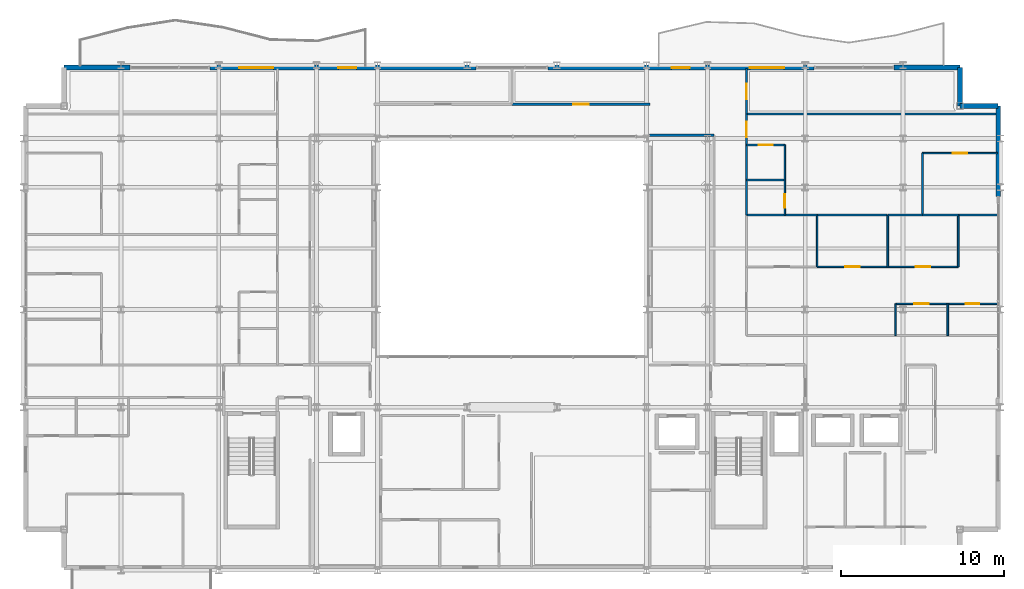
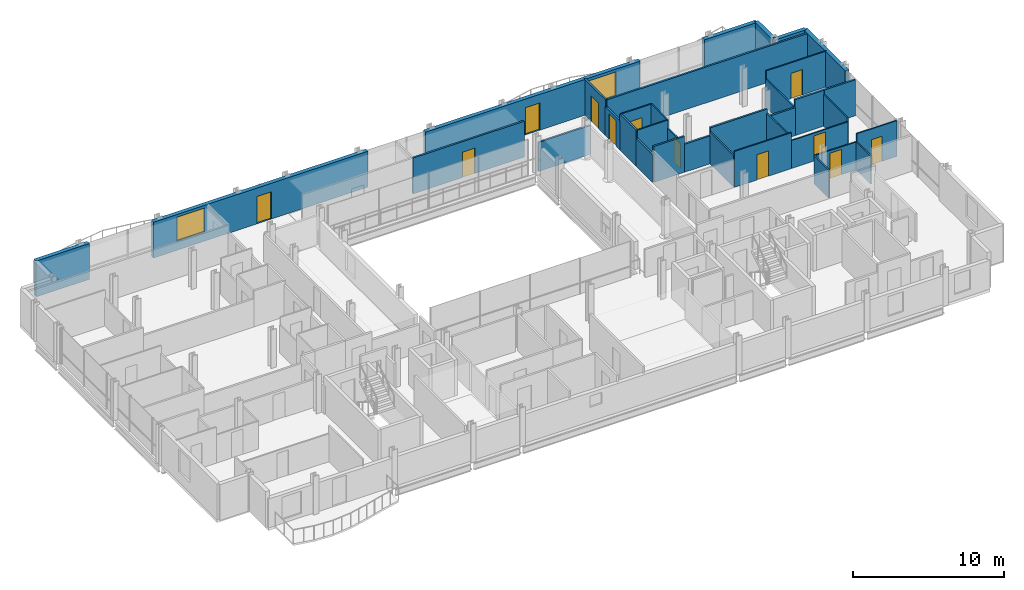
# One storey, part 37 of 41: 35 walls, 12 doors, 2 windows, 14 openings.
"""IFC4 building model written with IfcOpenShell, lengths in metres."""

from ifc_helpers import new_model, si_unit, direction, frame, frame_2d, origin, place, context, subcontext, project, spatial, rectangle, extrude, material, layer, layer_set, type_object, element, fill, save


model = new_model("IFC4")

# Units and contexts
model_context = context("Model", 3, precision=1e-05, world=origin(), true_north=direction((0.0, 1.0)))
body_context = subcontext(model_context, "Body", "Model", "MODEL_VIEW")
ifc_project = project(units=[si_unit("LENGTHUNIT", "METRE"), si_unit("AREAUNIT", "SQUARE_METRE"), si_unit("VOLUMEUNIT", "CUBIC_METRE"), si_unit("PLANEANGLEUNIT", "RADIAN"), si_unit("MASSUNIT", "GRAM", prefix="KILO")], contexts=[model_context])

# Site, building, storey
site_placement = place(None, origin())
site = spatial("IfcSite", under=ifc_project, at=site_placement, CompositionType="ELEMENT")
building_placement = place(site_placement, origin())
building = spatial("IfcBuilding", under=site, at=building_placement, Name="Brevholm Reach", CompositionType="ELEMENT")
storey_placement = place(building_placement, frame((0.0, 0.0, 169.699951171875)))
storey = spatial("IfcBuildingStorey", under=building, at=storey_placement, Name="L51", CompositionType="ELEMENT", Elevation=169.699951171875)

# Walls
ifc_material_1 = material(Name="Concrete C40/50", Category="concrete")
ifc_layer_1 = layer(ifc_material_1, 0.300048828125)
ifc_layer_set_1 = layer_set([ifc_layer_1], Name="Concrete C40/50")
wall_type_1 = type_object("IfcWallType", Name="WAL-EXT-300", PredefinedType="STANDARD", material=ifc_layer_set_1)
for number, where, z_axis, x_axis, name in (
    (1, (59.85009765625, 28.5, 0.0), (0.0, 0.0, 1.0), (-1.0, 0.0, 0.0), "L51 Facade Wall WAL-L51-CNE1"),
    (2, (57.5, 28.5, 0.0), (0.0, 0.0, 1.0), (0.0, 1.0, 0.0), "L51 Facade Wall WAL-L51-CNE2"),
):
    element("IfcWall", number, at=place(storey_placement, frame(where, z_axis=z_axis, x_axis=x_axis)), inside=storey, type_object=wall_type_1, Name=name, PredefinedType="STANDARD", context=body_context, shape_type="SweptSolid", body=[
        extrude(rectangle(XDim=2.35009765625, YDim=0.300048828125, at=frame_2d((1.175048828125, 0.0))), origin(), (0.0, 0.0, 1.0), 2.89013671875),
    ])
wall_1_placement = place(storey_placement, frame((59.85009765625, 22.949951171875, 0.0), z_axis=(0.0, 0.0, 1.0), x_axis=(0.0, 1.0, 0.0)))
element("IfcWall", 3, at=wall_1_placement, inside=storey, type_object=wall_type_1, Name="L51 Facade Wall WAL-L51-E-N", PredefinedType="STANDARD", context=body_context, shape_type="SweptSolid", body=[
    extrude(rectangle(XDim=5.550048828125, YDim=0.300048828125, at=frame_2d((2.77490234375, 0.0))), origin(), (0.0, 0.0, 1.0), 2.89013671875),
])
for number, where, z_axis, x_axis, name in (
    (4, (2.5, 30.85009765625, 0.0), (0.0, 0.0, 1.0), (1.0, 0.0, 0.0), "L51 Facade Wall WAL-L51-NP-W0"),
    (5, (53.449951171875, 30.85009765625, 0.0), (0.0, 0.0, 1.0), (1.0, 0.0, 0.0), "L51 Facade Wall WAL-L51-NP-E0"),
):
    element("IfcWall", number, at=place(storey_placement, frame(where, z_axis=z_axis, x_axis=x_axis)), inside=storey, type_object=wall_type_1, Name=name, PredefinedType="STANDARD", context=body_context, shape_type="SweptSolid", body=[
        extrude(rectangle(XDim=4.050048828125, YDim=0.300048828125, at=frame_2d((2.02490234375, 0.0))), origin(), (0.0, 0.0, 1.0), 2.89013671875),
    ])

# Wall, openings, door, window
wall_2_placement = place(storey_placement, frame((11.449951171875, 30.85009765625, 0.0), z_axis=(0.0, 0.0, 1.0), x_axis=(1.0, 0.0, 0.0)))
wall_2 = element("IfcWall", 6, at=wall_2_placement, inside=storey, type_object=wall_type_1, Name="L51 Facade Wall WAL-L51-NP-WL", PredefinedType="STANDARD", context=body_context, shape_type="SweptSolid", body=[
    extrude(rectangle(XDim=16.35009765625, YDim=0.300048828125, at=frame_2d((8.175048828125, 0.0))), origin(), (0.0, 0.0, 1.0), 2.89013671875),
])
opening_1_placement = place(wall_2_placement, frame((7.89794921875, 0.0, 0.0)))
opening_1 = element("IfcOpeningElement", 7, at=opening_1_placement, cuts=wall_2, Name="Opening BD-01", PredefinedType="OPENING", context=body_context, shape_type="SweptSolid", body=[
    extrude(rectangle(XDim=1.10009765625, YDim=2.199951171875, at=frame_2d((0.550048828125, 1.10009765625))), frame((0.0, 0.159912109375, 0.0), z_axis=(0.0, -1.0, 0.0), x_axis=(1.0, 0.0, 0.0)), (0.0, 0.0, 1.0), 0.320068359375),
])
opening_2_placement = place(wall_2_placement, frame((1.800048828125, 0.0, 0.719970703125)))
opening_2 = element("IfcOpeningElement", 8, at=opening_2_placement, cuts=wall_2, Name="Opening WN-07", PredefinedType="OPENING", context=body_context, shape_type="SweptSolid", body=[
    extrude(rectangle(XDim=2.10009765625, YDim=1.949951171875, at=frame_2d((1.050048828125, 0.97509765625))), frame((0.0, 0.159912109375, 0.0), z_axis=(0.0, -1.0, 0.0), x_axis=(1.0, 0.0, 0.0)), (0.0, 0.0, 1.0), 0.320068359375),
])
ifc_material_2 = material(Name="Dark Anodised Aluminium and Triple-Glazed Glass", Category="aluminium")
door_type_1 = type_object("IfcDoorType", Name="DOR-BALC-1100", OperationType="NOTDEFINED", PredefinedType="DOOR", material=ifc_material_2)
door_1_placement = place(opening_1_placement, origin())
door_1 = element("IfcDoor", 9, at=door_1_placement, inside=storey, type_object=door_type_1, Name="L51 Exterior Door DOR-L51-BL-NW", OperationType="SINGLE_SWING_LEFT", OverallHeight=2.199951171875, OverallWidth=1.10009765625, PredefinedType="DOOR", context=body_context, shape_type="SweptSolid", body=[
    extrude(rectangle(XDim=1.10009765625, YDim=2.199951171875, at=frame_2d((0.550048828125, 1.10009765625))), frame((0.0, 0.02490234375, 0.0), z_axis=(0.0, -1.0, 0.0), x_axis=(1.0, 0.0, 0.0)), (0.0, 0.0, 1.0), 0.050048828125),
])
fill(opening_1, door_1)
ifc_material_3 = material(Name="Dark Anodised Aluminium and Solar-Control IGU Glass", Category="aluminium")
window_type = type_object("IfcWindowType", Name="WIN-RES-2100", PartitioningType="SINGLE_PANEL", PredefinedType="WINDOW", material=ifc_material_3)
window_1_placement = place(opening_2_placement, origin())
window_1 = element("IfcWindow", 10, at=window_1_placement, inside=storey, type_object=window_type, Name="L51 Window WIN-L51-NP-WL1", OverallHeight=1.949951171875, OverallWidth=2.10009765625, PartitioningType="SINGLE_PANEL", PredefinedType="WINDOW", context=body_context, shape_type="SweptSolid", body=[
    extrude(rectangle(XDim=2.10009765625, YDim=1.949951171875, at=frame_2d((1.050048828125, 0.97509765625))), frame((0.0, 0.030029296875, 0.0), z_axis=(0.0, -1.0, 0.0), x_axis=(1.0, 0.0, 0.0)), (0.0, 0.0, 1.0), 0.06005859375),
])
fill(opening_2, window_1)

wall_3_placement = place(storey_placement, frame((32.199951171875, 30.85009765625, 0.0), z_axis=(0.0, 0.0, 1.0), x_axis=(1.0, 0.0, 0.0)))
wall_3 = element("IfcWall", 11, at=wall_3_placement, inside=storey, type_object=wall_type_1, Name="L51 Facade Wall WAL-L51-NP-ER", PredefinedType="STANDARD", context=body_context, shape_type="SweptSolid", body=[
    extrude(rectangle(XDim=16.35009765625, YDim=0.300048828125, at=frame_2d((8.175048828125, 0.0))), origin(), (0.0, 0.0, 1.0), 2.89013671875),
])
opening_3_placement = place(wall_3_placement, frame((7.60009765625, 0.0, 0.0)))
opening_3 = element("IfcOpeningElement", 12, at=opening_3_placement, cuts=wall_3, Name="Opening BD-01", PredefinedType="OPENING", context=body_context, shape_type="SweptSolid", body=[
    extrude(rectangle(XDim=1.10009765625, YDim=2.199951171875, at=frame_2d((0.550048828125, 1.10009765625))), frame((0.0, 0.159912109375, 0.0), z_axis=(0.0, -1.0, 0.0), x_axis=(1.0, 0.0, 0.0)), (0.0, 0.0, 1.0), 0.320068359375),
])
opening_4_placement = place(wall_3_placement, frame((12.39990234375, 0.0, 0.719970703125)))
opening_4 = element("IfcOpeningElement", 13, at=opening_4_placement, cuts=wall_3, Name="Opening WN-07", PredefinedType="OPENING", context=body_context, shape_type="SweptSolid", body=[
    extrude(rectangle(XDim=2.10009765625, YDim=1.949951171875, at=frame_2d((1.050048828125, 0.97509765625))), frame((0.0, 0.159912109375, 0.0), z_axis=(0.0, -1.0, 0.0), x_axis=(1.0, 0.0, 0.0)), (0.0, 0.0, 1.0), 0.320068359375),
])
door_2_placement = place(opening_3_placement, origin())
door_2 = element("IfcDoor", 14, at=door_2_placement, inside=storey, type_object=door_type_1, Name="L51 Exterior Door DOR-L51-BL-NE", OperationType="SINGLE_SWING_RIGHT", OverallHeight=2.199951171875, OverallWidth=1.10009765625, PredefinedType="DOOR", context=body_context, shape_type="SweptSolid", body=[
    extrude(rectangle(XDim=1.10009765625, YDim=2.199951171875, at=frame_2d((0.550048828125, 1.10009765625))), frame((0.0, 0.02490234375, 0.0), z_axis=(0.0, -1.0, 0.0), x_axis=(1.0, 0.0, 0.0)), (0.0, 0.0, 1.0), 0.050048828125),
])
fill(opening_3, door_2)
window_2_placement = place(opening_4_placement, origin())
window_2 = element("IfcWindow", 15, at=window_2_placement, inside=storey, type_object=window_type, Name="L51 Window WIN-L51-NP-ER1", OverallHeight=1.949951171875, OverallWidth=2.10009765625, PartitioningType="SINGLE_PANEL", PredefinedType="WINDOW", context=body_context, shape_type="SweptSolid", body=[
    extrude(rectangle(XDim=2.10009765625, YDim=1.949951171875, at=frame_2d((1.050048828125, 0.97509765625))), frame((0.0, 0.030029296875, 0.0), z_axis=(0.0, -1.0, 0.0), x_axis=(1.0, 0.0, 0.0)), (0.0, 0.0, 1.0), 0.06005859375),
])
fill(opening_4, window_2)

# Wall
ifc_material_4 = material(Name="Moisture-Resistant Acoustic Gypsum Stud Partition 100 mm", Category="gypsum")
ifc_layer_2 = layer(ifc_material_4, 0.10009765625)
ifc_layer_set_2 = layer_set([ifc_layer_2], Name="Moisture-Resistant Acoustic Gypsum Stud Partition 100 mm")
wall_type_2 = type_object("IfcWallType", Name="WAL-PRT-100", PredefinedType="PARTITIONING", material=ifc_layer_set_2)
wall_4_placement = place(storey_placement, frame((56.75, 14.404052734375, 0.0), z_axis=(0.0, 0.0, 1.0), x_axis=(0.0, 1.0, 0.0)))
element("IfcWall", 16, at=wall_4_placement, inside=storey, type_object=wall_type_2, Name="L51 Internal Partition 094", PredefinedType="PARTITIONING", context=body_context, shape_type="SweptSolid", body=[
    extrude(rectangle(XDim=1.946044921875, YDim=0.10009765625, at=frame_2d((0.97314453125, 0.0))), origin(), (0.0, 0.0, 1.0), 2.2529296875),
])

# Wall, opening, door
wall_5_placement = place(storey_placement, frame((56.75, 16.35009765625, 0.0), z_axis=(0.0, 0.0, 1.0), x_axis=(1.0, 0.0, 0.0)))
wall_5 = element("IfcWall", 17, at=wall_5_placement, inside=storey, type_object=wall_type_2, Name="L51 Internal Partition 095", PredefinedType="PARTITIONING", context=body_context, shape_type="SweptSolid", body=[
    extrude(rectangle(XDim=3.050048828125, YDim=0.10009765625, at=frame_2d((1.52490234375, 0.0))), origin(), (0.0, 0.0, 1.0), 2.89013671875),
])
opening_5_placement = place(wall_5_placement, frame((1.114990234375, 0.0, 0.0)))
opening_5 = element("IfcOpeningElement", 18, at=opening_5_placement, cuts=wall_5, Name="Opening ID-03", PredefinedType="OPENING", context=body_context, shape_type="SweptSolid", body=[
    extrude(rectangle(XDim=0.820068359375, YDim=2.02001953125, at=frame_2d((0.41015625, 1.010009765625))), frame((0.0, 0.06005859375, 0.0), z_axis=(0.0, -1.0, 0.0), x_axis=(1.0, 0.0, 0.0)), (0.0, 0.0, 1.0), 0.1201171875),
])
ifc_material_5 = material(Name="Moisture-Resistant Painted Timber Internal Bathroom Door", Category="wood")
door_type_2 = type_object("IfcDoorType", Name="DOR-BATH-820", OperationType="NOTDEFINED", PredefinedType="DOOR", material=ifc_material_5)
door_3_placement = place(opening_5_placement, origin())
door_3 = element("IfcDoor", 19, at=door_3_placement, inside=storey, type_object=door_type_2, Name="L51 Internal Door 041", OperationType="SINGLE_SWING_RIGHT", OverallHeight=2.02001953125, OverallWidth=0.820068359375, PredefinedType="DOOR", context=body_context, shape_type="SweptSolid", body=[
    extrude(rectangle(XDim=0.820068359375, YDim=2.02001953125, at=frame_2d((0.41015625, 1.010009765625))), frame((0.0, 0.02490234375, 0.0), z_axis=(0.0, -1.0, 0.0), x_axis=(1.0, 0.0, 0.0)), (0.0, 0.0, 1.0), 0.050048828125),
])
fill(opening_5, door_3)

wall_6_placement = place(storey_placement, frame((53.550048828125, 16.35009765625, 0.0), z_axis=(0.0, 0.0, 1.0), x_axis=(1.0, 0.0, 0.0)))
wall_6 = element("IfcWall", 20, at=wall_6_placement, inside=storey, type_object=wall_type_2, Name="L51 Internal Partition 096", PredefinedType="PARTITIONING", context=body_context, shape_type="SweptSolid", body=[
    extrude(rectangle(XDim=3.196044921875, YDim=0.10009765625, at=frame_2d((1.59814453125, 0.0))), origin(), (0.0, 0.0, 1.0), 2.2529296875),
])
opening_6_placement = place(wall_6_placement, frame((1.157958984375, 0.0, 0.0)))
opening_6 = element("IfcOpeningElement", 21, at=opening_6_placement, cuts=wall_6, Name="Opening ID-01", PredefinedType="OPENING", context=body_context, shape_type="SweptSolid", body=[
    extrude(rectangle(XDim=0.8798828125, YDim=2.0400390625, at=frame_2d((0.43994140625, 1.02001953125))), frame((0.0, 0.06005859375, 0.0), z_axis=(0.0, -1.0, 0.0), x_axis=(1.0, 0.0, 0.0)), (0.0, 0.0, 1.0), 0.1201171875),
])
ifc_material_6 = material(Name="Lacquered Ash Solid-Core Acoustic Internal Door", Category="timber")
door_type_3 = type_object("IfcDoorType", Name="DOR-INT-880", OperationType="NOTDEFINED", PredefinedType="DOOR", material=ifc_material_6)
door_4_placement = place(opening_6_placement, origin())
door_4 = element("IfcDoor", 22, at=door_4_placement, inside=storey, type_object=door_type_3, Name="L51 Internal Door 042", OperationType="SINGLE_SWING_LEFT", OverallHeight=2.0400390625, OverallWidth=0.8798828125, PredefinedType="DOOR", context=body_context, shape_type="SweptSolid", body=[
    extrude(rectangle(XDim=0.8798828125, YDim=2.0400390625, at=frame_2d((0.43994140625, 1.02001953125))), frame((0.0, 0.02490234375, 0.0), z_axis=(0.0, -1.0, 0.0), x_axis=(1.0, 0.0, 0.0)), (0.0, 0.0, 1.0), 0.050048828125),
])
fill(opening_6, door_4)

# Walls
wall_7_placement = place(storey_placement, frame((53.550048828125, 14.404052734375, 0.0), z_axis=(0.0, 0.0, 1.0), x_axis=(0.0, 1.0, 0.0)))
element("IfcWall", 23, at=wall_7_placement, inside=storey, type_object=wall_type_2, Name="L51 Internal Partition 097", PredefinedType="PARTITIONING", context=body_context, shape_type="SweptSolid", body=[
    extrude(rectangle(XDim=1.946044921875, YDim=0.10009765625, at=frame_2d((0.97314453125, 0.0))), origin(), (0.0, 0.0, 1.0), 2.2529296875),
])
for number, where, z_axis, x_axis, name in (
    (24, (48.73291015625, 18.617919921875, 0.0), (0.0, 0.0, 1.0), (0.0, 1.0, 0.0), "L51 Internal Partition 098"),
    (25, (53.06591796875, 18.617919921875, 0.0), (0.0, 0.0, 1.0), (0.0, 1.0, 0.0), "L51 Internal Partition 102"),
):
    element("IfcWall", number, at=place(storey_placement, frame(where, z_axis=z_axis, x_axis=x_axis)), inside=storey, type_object=wall_type_2, Name=name, PredefinedType="PARTITIONING", context=body_context, shape_type="SweptSolid", body=[
        extrude(rectangle(XDim=3.18212890625, YDim=0.10009765625, at=frame_2d((1.591064453125, 0.0))), origin(), (0.0, 0.0, 1.0), 2.561767578125),
    ])

# Wall, opening, door
wall_8_placement = place(storey_placement, frame((48.737060546875, 18.617919921875, 0.0), z_axis=(0.0, 0.0, 1.0), x_axis=(1.0, 0.0, 0.0)))
wall_8 = element("IfcWall", 26, at=wall_8_placement, inside=storey, type_object=wall_type_2, Name="L51 Internal Partition 103", PredefinedType="PARTITIONING", context=body_context, shape_type="SweptSolid", body=[
    extrude(rectangle(XDim=4.328857421875, YDim=0.10009765625, at=frame_2d((2.16455078125, 0.0))), origin(), (0.0, 0.0, 1.0), 2.89013671875),
])
opening_7_placement = place(wall_8_placement, frame((1.724609375, 0.0, 0.0)))
opening_7 = element("IfcOpeningElement", 27, at=opening_7_placement, cuts=wall_8, Name="Opening ID-01", PredefinedType="OPENING", context=body_context, shape_type="SweptSolid", body=[
    extrude(rectangle(XDim=0.8798828125, YDim=2.0400390625, at=frame_2d((0.43994140625, 1.02001953125))), frame((0.0, 0.06005859375, 0.0), z_axis=(0.0, -1.0, 0.0), x_axis=(1.0, 0.0, 0.0)), (0.0, 0.0, 1.0), 0.1201171875),
])
door_5_placement = place(opening_7_placement, origin())
door_5 = element("IfcDoor", 28, at=door_5_placement, inside=storey, type_object=door_type_3, Name="L51 Internal Door 044", OperationType="SINGLE_SWING_LEFT", OverallHeight=2.0400390625, OverallWidth=0.8798828125, PredefinedType="DOOR", context=body_context, shape_type="SweptSolid", body=[
    extrude(rectangle(XDim=0.8798828125, YDim=2.0400390625, at=frame_2d((0.43994140625, 1.02001953125))), frame((0.0, 0.02490234375, 0.0), z_axis=(0.0, -1.0, 0.0), x_axis=(1.0, 0.0, 0.0)), (0.0, 0.0, 1.0), 0.050048828125),
])
fill(opening_7, door_5)

wall_9_placement = place(storey_placement, frame((53.070068359375, 18.617919921875, 0.0), z_axis=(0.0, 0.0, 1.0), x_axis=(1.0, 0.0, 0.0)))
wall_9 = element("IfcWall", 29, at=wall_9_placement, inside=storey, type_object=wall_type_2, Name="L51 Internal Partition 105", PredefinedType="PARTITIONING", context=body_context, shape_type="SweptSolid", body=[
    extrude(rectangle(XDim=4.328857421875, YDim=0.10009765625, at=frame_2d((2.16455078125, 0.0))), origin(), (0.0, 0.0, 1.0), 2.2529296875),
])
opening_8_placement = place(wall_9_placement, frame((1.724609375, 0.0, 0.0)))
opening_8 = element("IfcOpeningElement", 30, at=opening_8_placement, cuts=wall_9, Name="Opening ID-01", PredefinedType="OPENING", context=body_context, shape_type="SweptSolid", body=[
    extrude(rectangle(XDim=0.8798828125, YDim=2.0400390625, at=frame_2d((0.43994140625, 1.02001953125))), frame((0.0, 0.06005859375, 0.0), z_axis=(0.0, -1.0, 0.0), x_axis=(1.0, 0.0, 0.0)), (0.0, 0.0, 1.0), 0.1201171875),
])
door_6_placement = place(opening_8_placement, origin())
door_6 = element("IfcDoor", 31, at=door_6_placement, inside=storey, type_object=door_type_3, Name="L51 Internal Door 045", OperationType="SINGLE_SWING_RIGHT", OverallHeight=2.0400390625, OverallWidth=0.8798828125, PredefinedType="DOOR", context=body_context, shape_type="SweptSolid", body=[
    extrude(rectangle(XDim=0.8798828125, YDim=2.0400390625, at=frame_2d((0.43994140625, 1.02001953125))), frame((0.0, 0.02490234375, 0.0), z_axis=(0.0, -1.0, 0.0), x_axis=(1.0, 0.0, 0.0)), (0.0, 0.0, 1.0), 0.050048828125),
])
fill(opening_8, door_6)

# Walls
wall_10_placement = place(storey_placement, frame((57.39892578125, 18.617919921875, 0.0), z_axis=(0.0, 0.0, 1.0), x_axis=(0.0, 1.0, 0.0)))
element("IfcWall", 32, at=wall_10_placement, inside=storey, type_object=wall_type_2, Name="L51 Internal Partition 106", PredefinedType="PARTITIONING", context=body_context, shape_type="SweptSolid", body=[
    extrude(rectangle(XDim=3.18212890625, YDim=0.10009765625, at=frame_2d((1.591064453125, 0.0))), origin(), (0.0, 0.0, 1.0), 2.561767578125),
])
wall_11_placement = place(storey_placement, frame((44.404052734375, 23.949951171875, 0.0), z_axis=(0.0, 0.0, 1.0), x_axis=(1.0, 0.0, 0.0)))
element("IfcWall", 33, at=wall_11_placement, inside=storey, type_object=wall_type_2, Name="L51 Internal Partition 110", PredefinedType="PARTITIONING", context=body_context, shape_type="SweptSolid", body=[
    extrude(rectangle(XDim=2.345947265625, YDim=0.10009765625, at=frame_2d((1.1728515625, 0.0))), origin(), (0.0, 0.0, 1.0), 2.89013671875),
])

# Wall, opening, door
wall_12_placement = place(storey_placement, frame((46.75, 21.803955078125, 0.0), z_axis=(0.0, 0.0, 1.0), x_axis=(0.0, 1.0, 0.0)))
wall_12 = element("IfcWall", 34, at=wall_12_placement, inside=storey, type_object=wall_type_2, Name="L51 Internal Partition 111", PredefinedType="PARTITIONING", context=body_context, shape_type="SweptSolid", body=[
    extrude(rectangle(XDim=2.14599609375, YDim=0.10009765625, at=frame_2d((1.072998046875, 0.0))), origin(), (0.0, 0.0, 1.0), 2.2529296875),
])
opening_9_placement = place(wall_12_placement, frame((0.443115234375, 0.0, 0.0)))
opening_9 = element("IfcOpeningElement", 35, at=opening_9_placement, cuts=wall_12, Name="Opening ID-03", PredefinedType="OPENING", context=body_context, shape_type="SweptSolid", body=[
    extrude(rectangle(XDim=0.820068359375, YDim=2.02001953125, at=frame_2d((0.41015625, 1.010009765625))), frame((0.0, 0.06005859375, 0.0), z_axis=(0.0, -1.0, 0.0), x_axis=(1.0, 0.0, 0.0)), (0.0, 0.0, 1.0), 0.1201171875),
])
door_7_placement = place(opening_9_placement, origin())
door_7 = element("IfcDoor", 36, at=door_7_placement, inside=storey, type_object=door_type_2, Name="L51 Internal Door 046", OperationType="SINGLE_SWING_LEFT", OverallHeight=2.02001953125, OverallWidth=0.820068359375, PredefinedType="DOOR", context=body_context, shape_type="SweptSolid", body=[
    extrude(rectangle(XDim=0.820068359375, YDim=2.02001953125, at=frame_2d((0.41015625, 1.010009765625))), frame((0.0, 0.02490234375, 0.0), z_axis=(0.0, -1.0, 0.0), x_axis=(1.0, 0.0, 0.0)), (0.0, 0.0, 1.0), 0.050048828125),
])
fill(opening_9, door_7)

# Wall
wall_13_placement = place(storey_placement, frame((46.75, 23.9541015625, 0.0), z_axis=(0.0, 0.0, 1.0), x_axis=(0.0, 1.0, 0.0)))
element("IfcWall", 37, at=wall_13_placement, inside=storey, type_object=wall_type_2, Name="L51 Internal Partition 112", PredefinedType="PARTITIONING", context=body_context, shape_type="SweptSolid", body=[
    extrude(rectangle(XDim=2.14599609375, YDim=0.10009765625, at=frame_2d((1.072998046875, 0.0))), origin(), (0.0, 0.0, 1.0), 2.89013671875),
])

# Wall, opening, door
wall_14_placement = place(storey_placement, frame((44.404052734375, 26.10009765625, 0.0), z_axis=(0.0, 0.0, 1.0), x_axis=(1.0, 0.0, 0.0)))
wall_14 = element("IfcWall", 38, at=wall_14_placement, inside=storey, type_object=wall_type_2, Name="L51 Internal Partition 113", PredefinedType="PARTITIONING", context=body_context, shape_type="SweptSolid", body=[
    extrude(rectangle(XDim=2.345947265625, YDim=0.10009765625, at=frame_2d((1.1728515625, 0.0))), origin(), (0.0, 0.0, 1.0), 2.89013671875),
])
opening_10_placement = place(wall_14_placement, frame((0.73291015625, 0.0, 0.0)))
opening_10 = element("IfcOpeningElement", 39, at=opening_10_placement, cuts=wall_14, Name="Opening ID-01", PredefinedType="OPENING", context=body_context, shape_type="SweptSolid", body=[
    extrude(rectangle(XDim=0.8798828125, YDim=2.0400390625, at=frame_2d((0.43994140625, 1.02001953125))), frame((0.0, 0.06005859375, 0.0), z_axis=(0.0, -1.0, 0.0), x_axis=(1.0, 0.0, 0.0)), (0.0, 0.0, 1.0), 0.1201171875),
])
door_8_placement = place(opening_10_placement, origin())
door_8 = element("IfcDoor", 40, at=door_8_placement, inside=storey, type_object=door_type_3, Name="L51 Internal Door 047", OperationType="SINGLE_SWING_RIGHT", OverallHeight=2.0400390625, OverallWidth=0.8798828125, PredefinedType="DOOR", context=body_context, shape_type="SweptSolid", body=[
    extrude(rectangle(XDim=0.8798828125, YDim=2.0400390625, at=frame_2d((0.43994140625, 1.02001953125))), frame((0.0, 0.02490234375, 0.0), z_axis=(0.0, -1.0, 0.0), x_axis=(1.0, 0.0, 0.0)), (0.0, 0.0, 1.0), 0.050048828125),
])
fill(opening_10, door_8)

wall_15_placement = place(storey_placement, frame((55.199951171875, 25.60009765625, 0.0), z_axis=(0.0, 0.0, 1.0), x_axis=(1.0, 0.0, 0.0)))
wall_15 = element("IfcWall", 41, at=wall_15_placement, inside=storey, type_object=wall_type_2, Name="L51 Internal Partition 114", PredefinedType="PARTITIONING", context=body_context, shape_type="SweptSolid", body=[
    extrude(rectangle(XDim=4.60009765625, YDim=0.10009765625, at=frame_2d((2.300048828125, 0.0))), origin(), (0.0, 0.0, 1.0), 2.89013671875),
])
opening_11_placement = place(wall_15_placement, frame((1.860107421875, 0.0, 0.0)))
opening_11 = element("IfcOpeningElement", 42, at=opening_11_placement, cuts=wall_15, Name="Opening ID-01", PredefinedType="OPENING", context=body_context, shape_type="SweptSolid", body=[
    extrude(rectangle(XDim=0.8798828125, YDim=2.0400390625, at=frame_2d((0.43994140625, 1.02001953125))), frame((0.0, 0.06005859375, 0.0), z_axis=(0.0, -1.0, 0.0), x_axis=(1.0, 0.0, 0.0)), (0.0, 0.0, 1.0), 0.1201171875),
])
door_9_placement = place(opening_11_placement, origin())
door_9 = element("IfcDoor", 43, at=door_9_placement, inside=storey, type_object=door_type_3, Name="L51 Internal Door 048", OperationType="SINGLE_SWING_LEFT", OverallHeight=2.0400390625, OverallWidth=0.8798828125, PredefinedType="DOOR", context=body_context, shape_type="SweptSolid", body=[
    extrude(rectangle(XDim=0.8798828125, YDim=2.0400390625, at=frame_2d((0.43994140625, 1.02001953125))), frame((0.0, 0.02490234375, 0.0), z_axis=(0.0, -1.0, 0.0), x_axis=(1.0, 0.0, 0.0)), (0.0, 0.0, 1.0), 0.050048828125),
])
fill(opening_11, door_9)

# Walls
wall_16_placement = place(storey_placement, frame((55.199951171875, 21.803955078125, 0.0), z_axis=(0.0, 0.0, 1.0), x_axis=(0.0, 1.0, 0.0)))
element("IfcWall", 44, at=wall_16_placement, inside=storey, type_object=wall_type_2, Name="L51 Internal Partition 115", PredefinedType="PARTITIONING", context=body_context, shape_type="SweptSolid", body=[
    extrude(rectangle(XDim=3.796142578125, YDim=0.10009765625, at=frame_2d((1.89794921875, 0.0))), origin(), (0.0, 0.0, 1.0), 2.2529296875),
])
ifc_material_7 = material(Name="Twin-Stud Acoustic Fire-Rated Gypsum Partition 140 mm", Category="gypsum")
ifc_layer_3 = layer(ifc_material_7, 0.139892578125)
ifc_layer_set_3 = layer_set([ifc_layer_3], Name="Twin-Stud Acoustic Fire-Rated Gypsum Partition 140 mm")
wall_type_3 = type_object("IfcWallType", Name="WAL-PRT-140", PredefinedType="PARTITIONING", material=ifc_layer_set_3)
wall_17_placement = place(storey_placement, frame((44.39990234375, 21.792724609375, 0.0), z_axis=(0.0, 0.0, 1.0), x_axis=(0.0, 1.0, 0.0)))
element("IfcWall", 45, at=wall_17_placement, inside=storey, type_object=wall_type_3, Name="L51 Internal Partition 052", PredefinedType="PARTITIONING", context=body_context, shape_type="SweptSolid", body=[
    extrude(rectangle(XDim=2.16845703125, YDim=0.139892578125, at=frame_2d((1.084228515625, 0.0))), origin(), (0.0, 0.0, 1.0), 2.2529296875),
])
wall_18_placement = place(storey_placement, frame((44.39990234375, 23.942626953125, 0.0), z_axis=(0.0, 0.0, 1.0), x_axis=(0.0, 1.0, 0.0)))
element("IfcWall", 46, at=wall_18_placement, inside=storey, type_object=wall_type_3, Name="L51 Internal Partition 053", PredefinedType="PARTITIONING", context=body_context, shape_type="SweptSolid", body=[
    extrude(rectangle(XDim=2.168701171875, YDim=0.139892578125, at=frame_2d((1.08447265625, 0.0))), origin(), (0.0, 0.0, 1.0), 2.89013671875),
])

# Wall, opening, door
wall_19_placement = place(storey_placement, frame((44.39990234375, 26.0927734375, 0.0), z_axis=(0.0, 0.0, 1.0), x_axis=(0.0, 1.0, 0.0)))
wall_19 = element("IfcWall", 47, at=wall_19_placement, inside=storey, type_object=wall_type_3, Name="L51 Internal Partition 054", PredefinedType="PARTITIONING", context=body_context, shape_type="SweptSolid", body=[
    extrude(rectangle(XDim=1.91845703125, YDim=0.139892578125, at=frame_2d((0.959228515625, 0.0))), origin(), (0.0, 0.0, 1.0), 2.33203125),
])
opening_12_placement = place(wall_19_placement, frame((0.484375, 0.0, 0.0)))
opening_12 = element("IfcOpeningElement", 48, at=opening_12_placement, cuts=wall_19, Name="Opening ID-30", PredefinedType="OPENING", context=body_context, shape_type="SweptSolid", body=[
    extrude(rectangle(XDim=0.949951171875, YDim=2.050048828125, at=frame_2d((0.47509765625, 1.02490234375))), frame((0.0, 0.079833984375, 0.0), z_axis=(0.0, -1.0, 0.0), x_axis=(1.0, 0.0, 0.0)), (0.0, 0.0, 1.0), 0.159912109375),
])
ifc_material_8 = material(Name="European Oak Veneered Solid-Core Fire Entrance Door", Category="timber")
door_type_4 = type_object("IfcDoorType", Name="DOR-FLT-FD30S", OperationType="NOTDEFINED", PredefinedType="DOOR", material=ifc_material_8)
door_10_placement = place(opening_12_placement, origin())
door_10 = element("IfcDoor", 49, at=door_10_placement, inside=storey, type_object=door_type_4, Name="L51 Internal Door 026", OperationType="SINGLE_SWING_LEFT", OverallHeight=2.050048828125, OverallWidth=0.949951171875, PredefinedType="DOOR", context=body_context, shape_type="SweptSolid", body=[
    extrude(rectangle(XDim=0.949951171875, YDim=2.050048828125, at=frame_2d((0.47509765625, 1.02490234375))), frame((0.0, 0.02490234375, 0.0), z_axis=(0.0, -1.0, 0.0), x_axis=(1.0, 0.0, 0.0)), (0.0, 0.0, 1.0), 0.050048828125),
])
fill(opening_12, door_10)

wall_20_placement = place(storey_placement, frame((44.39990234375, 27.99267578125, 0.0), z_axis=(0.0, 0.0, 1.0), x_axis=(0.0, 1.0, 0.0)))
wall_20 = element("IfcWall", 50, at=wall_20_placement, inside=storey, type_object=wall_type_3, Name="L51 Internal Partition 056", PredefinedType="PARTITIONING", context=body_context, shape_type="SweptSolid", body=[
    extrude(rectangle(XDim=2.807373046875, YDim=0.139892578125, at=frame_2d((1.40380859375, 0.0))), origin(), (0.0, 0.0, 1.0), 2.89013671875),
])
opening_13_placement = place(wall_20_placement, frame((0.9287109375, 0.0, 0.0)))
opening_13 = element("IfcOpeningElement", 51, at=opening_13_placement, cuts=wall_20, Name="Opening ID-30", PredefinedType="OPENING", context=body_context, shape_type="SweptSolid", body=[
    extrude(rectangle(XDim=0.949951171875, YDim=2.050048828125, at=frame_2d((0.47509765625, 1.02490234375))), frame((0.0, 0.079833984375, 0.0), z_axis=(0.0, -1.0, 0.0), x_axis=(1.0, 0.0, 0.0)), (0.0, 0.0, 1.0), 0.159912109375),
])
door_11_placement = place(opening_13_placement, origin())
door_11 = element("IfcDoor", 52, at=door_11_placement, inside=storey, type_object=door_type_4, Name="L51 Internal Door 027", OperationType="SINGLE_SWING_RIGHT", OverallHeight=2.050048828125, OverallWidth=0.949951171875, PredefinedType="DOOR", context=body_context, shape_type="SweptSolid", body=[
    extrude(rectangle(XDim=0.949951171875, YDim=2.050048828125, at=frame_2d((0.47509765625, 1.02490234375))), frame((0.0, 0.02490234375, 0.0), z_axis=(0.0, -1.0, 0.0), x_axis=(1.0, 0.0, 0.0)), (0.0, 0.0, 1.0), 0.050048828125),
])
fill(opening_13, door_11)

# Wall
wall_21_placement = place(storey_placement, frame((38.438720703125, 26.699951171875, 0.0), z_axis=(0.0, 0.0, 1.0), x_axis=(1.0, 0.0, 0.0)))
element("IfcWall", 53, at=wall_21_placement, inside=storey, type_object=wall_type_3, Name="L51 Internal Partition 061", PredefinedType="PARTITIONING", context=body_context, shape_type="SweptSolid", body=[
    extrude(rectangle(XDim=3.957275390625, YDim=0.139892578125, at=frame_2d((1.978515625, 0.0))), origin(), (0.0, 0.0, 1.0), 2.33203125),
])

# Wall, opening, door
wall_22_placement = place(storey_placement, frame((29.99267578125, 28.60009765625, 0.0), z_axis=(0.0, 0.0, 1.0), x_axis=(1.0, 0.0, 0.0)))
wall_22 = element("IfcWall", 54, at=wall_22_placement, inside=storey, type_object=wall_type_3, Name="L51 Internal Partition 063", PredefinedType="PARTITIONING", context=body_context, shape_type="SweptSolid", body=[
    extrude(rectangle(XDim=8.464599609375, YDim=0.139892578125, at=frame_2d((4.232421875, 0.0))), origin(), (0.0, 0.0, 1.0), 2.89013671875),
])
opening_14_placement = place(wall_22_placement, frame((3.75732421875, 0.0, 0.0)))
opening_14 = element("IfcOpeningElement", 55, at=opening_14_placement, cuts=wall_22, Name="Opening ID-30", PredefinedType="OPENING", context=body_context, shape_type="SweptSolid", body=[
    extrude(rectangle(XDim=0.949951171875, YDim=2.050048828125, at=frame_2d((0.47509765625, 1.02490234375))), frame((0.0, 0.079833984375, 0.0), z_axis=(0.0, -1.0, 0.0), x_axis=(1.0, 0.0, 0.0)), (0.0, 0.0, 1.0), 0.159912109375),
])
door_12_placement = place(opening_14_placement, origin())
door_12 = element("IfcDoor", 56, at=door_12_placement, inside=storey, type_object=door_type_4, Name="L51 Internal Door 029", OperationType="SINGLE_SWING_RIGHT", OverallHeight=2.050048828125, OverallWidth=0.949951171875, PredefinedType="DOOR", context=body_context, shape_type="SweptSolid", body=[
    extrude(rectangle(XDim=0.949951171875, YDim=2.050048828125, at=frame_2d((0.47509765625, 1.02490234375))), frame((0.0, 0.02490234375, 0.0), z_axis=(0.0, -1.0, 0.0), x_axis=(1.0, 0.0, 0.0)), (0.0, 0.0, 1.0), 0.050048828125),
])
fill(opening_14, door_12)

# Walls
wall_23_placement = place(storey_placement, frame((44.404052734375, 21.800048828125, 0.0), z_axis=(0.0, 0.0, 1.0), x_axis=(1.0, 0.0, 0.0)))
element("IfcWall", 57, at=wall_23_placement, inside=storey, type_object=wall_type_3, Name="L51 Internal Partition 100", PredefinedType="PARTITIONING", context=body_context, shape_type="SweptSolid", body=[
    extrude(rectangle(XDim=2.357177734375, YDim=0.139892578125, at=frame_2d((1.1787109375, 0.0))), origin(), (0.0, 0.0, 1.0), 2.89013671875),
])
wall_24_placement = place(storey_placement, frame((46.74267578125, 21.800048828125, 0.0), z_axis=(0.0, 0.0, 1.0), x_axis=(1.0, 0.0, 0.0)))
element("IfcWall", 58, at=wall_24_placement, inside=storey, type_object=wall_type_3, Name="L51 Internal Partition 101", PredefinedType="PARTITIONING", context=body_context, shape_type="SweptSolid", body=[
    extrude(rectangle(XDim=1.990234375, YDim=0.139892578125, at=frame_2d((0.9951171875, 0.0))), origin(), (0.0, 0.0, 1.0), 2.2529296875),
])
wall_25_placement = place(storey_placement, frame((48.737060546875, 21.800048828125, 0.0), z_axis=(0.0, 0.0, 1.0), x_axis=(1.0, 0.0, 0.0)))
element("IfcWall", 59, at=wall_25_placement, inside=storey, type_object=wall_type_3, Name="L51 Internal Partition 104", PredefinedType="PARTITIONING", context=body_context, shape_type="SweptSolid", body=[
    extrude(rectangle(XDim=4.328857421875, YDim=0.139892578125, at=frame_2d((2.16455078125, 0.0))), origin(), (0.0, 0.0, 1.0), 2.89013671875),
])
wall_26_placement = place(storey_placement, frame((55.188720703125, 21.800048828125, 0.0), z_axis=(0.0, 0.0, 1.0), x_axis=(1.0, 0.0, 0.0)))
element("IfcWall", 60, at=wall_26_placement, inside=storey, type_object=wall_type_3, Name="L51 Internal Partition 107", PredefinedType="PARTITIONING", context=body_context, shape_type="SweptSolid", body=[
    extrude(rectangle(XDim=2.210205078125, YDim=0.139892578125, at=frame_2d((1.10498046875, 0.0))), origin(), (0.0, 0.0, 1.0), 2.89013671875),
])
wall_27_placement = place(storey_placement, frame((53.070068359375, 21.800048828125, 0.0), z_axis=(0.0, 0.0, 1.0), x_axis=(1.0, 0.0, 0.0)))
element("IfcWall", 61, at=wall_27_placement, inside=storey, type_object=wall_type_3, Name="L51 Internal Partition 108", PredefinedType="PARTITIONING", context=body_context, shape_type="SweptSolid", body=[
    extrude(rectangle(XDim=2.13720703125, YDim=0.139892578125, at=frame_2d((1.068603515625, 0.0))), origin(), (0.0, 0.0, 1.0), 2.2529296875),
])
wall_28_placement = place(storey_placement, frame((57.403076171875, 21.800048828125, 0.0), z_axis=(0.0, 0.0, 1.0), x_axis=(1.0, 0.0, 0.0)))
element("IfcWall", 62, at=wall_28_placement, inside=storey, type_object=wall_type_3, Name="L51 Internal Partition 109", PredefinedType="PARTITIONING", context=body_context, shape_type="SweptSolid", body=[
    extrude(rectangle(XDim=2.39697265625, YDim=0.139892578125, at=frame_2d((1.198486328125, 0.0))), origin(), (0.0, 0.0, 1.0), 2.89013671875),
])
wall_29_placement = place(storey_placement, frame((44.404052734375, 28.0, 0.0), z_axis=(0.0, 0.0, 1.0), x_axis=(1.0, 0.0, 0.0)))
element("IfcWall", 63, at=wall_29_placement, inside=storey, type_object=wall_type_3, Name="L51 Internal Partition 116", PredefinedType="PARTITIONING", context=body_context, shape_type="SweptSolid", body=[
    extrude(rectangle(XDim=15.39599609375, YDim=0.139892578125, at=frame_2d((7.697998046875, 0.0))), origin(), (0.0, 0.0, 1.0), 2.89013671875),
])

save(model, "model.ifc")
